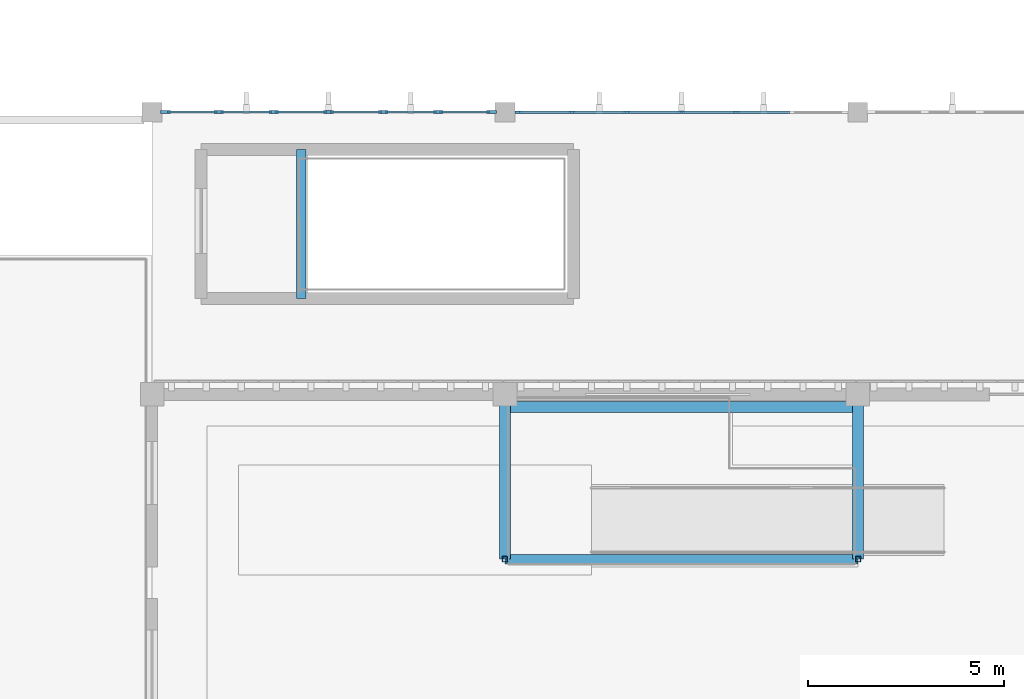
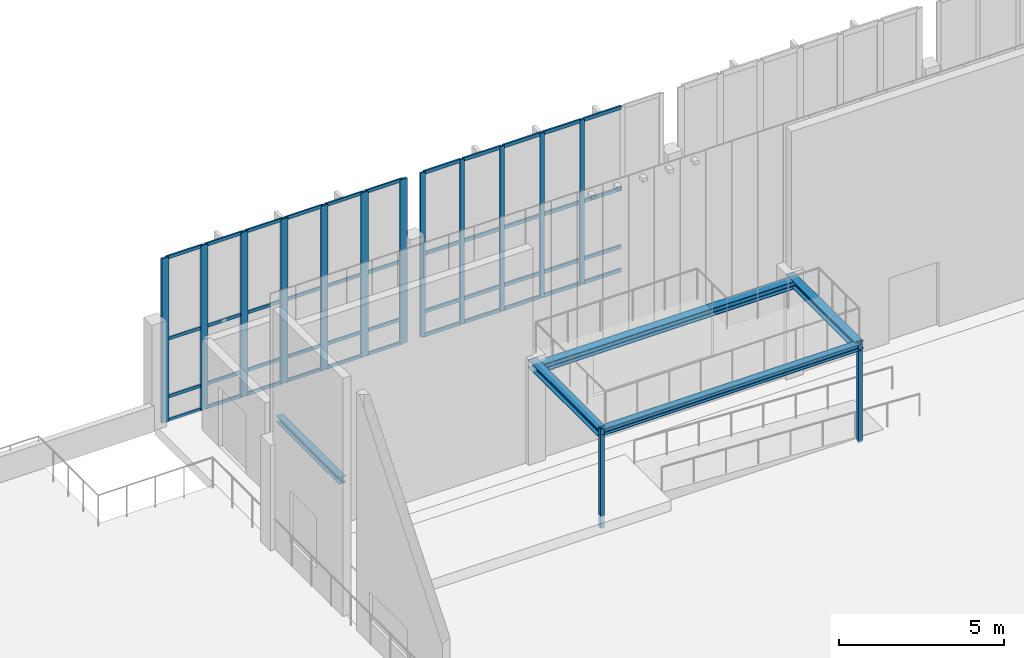
# One storey, part 23 of 67: 58 members, 5 beams, 2 elements without a shape of their own.
"""IFC4 building model written with IfcOpenShell, lengths in metres."""

import ifcopenshell
import ifcopenshell.guid

model = None  # the IFC model being written
_history = None  # IfcOwnerHistory: only IFC2X3 demands one
_inside = {}  # id of a spatial element -> (the spatial element, [elements in it])
_under = {}  # id of a project, library or spatial element -> (it, [spatial elements below it])
_declared = {}  # id of a project -> (the project, [libraries it declares])
_typed = {}  # id of a type object -> (the type object, [elements of that type])
_made_of = {}  # id of a material, layer set ... -> (it, [elements and type objects made of it])


def new_model(schema):
    """Start an empty IFC model of exactly this schema.

    Asked for "IFC4X3", IfcOpenShell would pick the latest addendum, in which some entities
    have other attributes; the version numbers below select the first issue.
    IFC2X3 requires an IfcOwnerHistory on every rooted entity: one is made here for all.
    """
    global model, _history
    if schema == "IFC4X3":
        model = ifcopenshell.file(schema_version=(4, 3, 0, 0))
    else:
        model = ifcopenshell.file(schema=schema)
    _inside.clear()
    _under.clear()
    _declared.clear()
    _typed.clear()
    _made_of.clear()
    _history = None
    if model.schema == "IFC2X3":
        org = make("IfcOrganization", Name="unknown")
        user = make(
            "IfcPersonAndOrganization",
            ThePerson=make("IfcPerson", FamilyName="unknown"),
            TheOrganization=org,
        )
        app = make(
            "IfcApplication",
            ApplicationDeveloper=org,
            Version="unknown",
            ApplicationFullName="unknown",
            ApplicationIdentifier="unknown",
        )
        _history = make(
            "IfcOwnerHistory",
            OwningUser=user,
            OwningApplication=app,
            ChangeAction="ADDED",
            CreationDate=0,
        )
    return model


def make(cls, **values):
    """One entity of the class cls with the attributes given. An attribute that is None is left unset."""
    return model.create_entity(
        cls, **{name: value for name, value in values.items() if value is not None}
    )


def rooted(cls, **values):
    """An entity with a GlobalId (a new one), such as an element, a storey or a relation."""
    return make(cls, GlobalId=ifcopenshell.guid.new(), OwnerHistory=_history, **values)


def si_unit(unit_type, name, prefix=None):
    """IfcSIUnit, for example si_unit("LENGTHUNIT", "METRE", prefix="MILLI")."""
    return make("IfcSIUnit", UnitType=unit_type, Prefix=prefix, Name=name)


def assignment(units):
    """IfcUnitAssignment: the units of a project."""
    return None if units is None else make("IfcUnitAssignment", Units=units)


def point(xyz):
    """IfcCartesianPoint."""
    return None if xyz is None else make("IfcCartesianPoint", Coordinates=xyz)


def direction(xyz):
    """IfcDirection."""
    return None if xyz is None else make("IfcDirection", DirectionRatios=xyz)


def frame(location, z_axis=None, x_axis=None):
    """IfcAxis2Placement3D, a coordinate frame: its origin and axes. An axis left out is left unset."""
    return make(
        "IfcAxis2Placement3D",
        Location=point(location),
        Axis=direction(z_axis),
        RefDirection=direction(x_axis),
    )


def frame_2d(location, x_axis=None):
    """IfcAxis2Placement2D, a coordinate frame in the plane: its origin and x axis."""
    return make(
        "IfcAxis2Placement2D", Location=point(location), RefDirection=direction(x_axis)
    )


def origin():
    """The frame at (0, 0, 0) with its axes left unset."""
    return frame((0.0, 0.0, 0.0))


def origin_2d():
    """The frame at (0, 0) in the plane with its x axis left unset."""
    return frame_2d((0.0, 0.0))


def place(relative_to, where):
    """IfcLocalPlacement: puts the frame where relative to a parent placement (None: the world)."""
    return make(
        "IfcLocalPlacement", PlacementRelTo=relative_to, RelativePlacement=where
    )


def context(
    kind, dimensions, precision=None, world=None, true_north=None, identifier=None
):
    """IfcGeometricRepresentationContext, for example the 3D "Model" context."""
    return make(
        "IfcGeometricRepresentationContext",
        ContextIdentifier=identifier,
        ContextType=kind,
        CoordinateSpaceDimension=dimensions,
        Precision=precision,
        WorldCoordinateSystem=world,
        TrueNorth=true_north,
    )


def subcontext(parent, identifier, kind, view, scale=None):
    """IfcGeometricRepresentationSubContext, for example "Body" below "Model"."""
    return make(
        "IfcGeometricRepresentationSubContext",
        ContextIdentifier=identifier,
        ContextType=kind,
        ParentContext=parent,
        TargetScale=scale,
        TargetView=view,
    )


def project(units=None, contexts=None):
    """IfcProject with its units and contexts."""
    return rooted(
        "IfcProject",
        Name="project",
        RepresentationContexts=contexts,
        UnitsInContext=assignment(units),
    )


def spatial(cls, under=None, at=None, **own):
    """A site, building, storey or space (cls), placed at a placement, below another one or the project."""
    s = rooted(cls, ObjectPlacement=at, **own)
    if under is not None:
        _under.setdefault(under.id(), (under, []))[1].append(s)
    return s


def profile(cls, at=None, kind="AREA", **sizes):
    """A parametric profile (cls). Its sizes go by their IFC names, for example OverallWidth=200.0."""
    return make(cls, ProfileType=kind, Position=at, **sizes)


def rectangle(**sizes):
    """IfcRectangleProfileDef."""
    return profile("IfcRectangleProfileDef", **sizes)


def hollow_rectangle(**sizes):
    """IfcRectangleHollowProfileDef."""
    return profile("IfcRectangleHollowProfileDef", **sizes)


def i_section(**sizes):
    """IfcIShapeProfileDef."""
    return profile("IfcIShapeProfileDef", **sizes)


def extrude(swept, where, along, depth):
    """IfcExtrudedAreaSolid: the profile swept, set in the frame where, extruded along a direction by depth."""
    return make(
        "IfcExtrudedAreaSolid",
        SweptArea=swept,
        Position=where,
        ExtrudedDirection=direction(along),
        Depth=depth,
    )


def shape(context_of_items, identifier, shape_type, items):
    """IfcShapeRepresentation: the items that make up one representation, for example the "Body"."""
    return make(
        "IfcShapeRepresentation",
        ContextOfItems=context_of_items,
        RepresentationIdentifier=identifier,
        RepresentationType=shape_type,
        Items=items,
    )


def material(Name=None, Category=None):
    """IfcMaterial."""
    return make("IfcMaterial", Name=Name, Category=Category)


def material_profile(
    of_material, cross_section, Name=None, Category=None, Priority=None
):
    """IfcMaterialProfile: a cross section and its material."""
    return make(
        "IfcMaterialProfile",
        Name=Name,
        Material=of_material,
        Profile=cross_section,
        Priority=Priority,
        Category=Category,
    )


def profile_set(profiles, Name=None, composite=None):
    """IfcMaterialProfileSet."""
    return make(
        "IfcMaterialProfileSet",
        Name=Name,
        MaterialProfiles=profiles,
        CompositeProfile=composite,
    )


def made_of(thing, what):
    """Note that an element or type object is made of a material, layer set ...; save() writes the relation."""
    if what is not None:
        _made_of.setdefault(what.id(), (what, []))[1].append(thing)
    return thing


def type_object(cls, material=None, **own):
    """A type object (cls), such as IfcWallType, which elements share."""
    return made_of(rooted(cls, **own), material)


def element(
    cls,
    number,
    at=None,
    inside=None,
    cuts=None,
    type_object=None,
    material=None,
    context=None,
    identifier="Body",
    shape_type=None,
    held_by="IfcProductDefinitionShape",
    body=None,
    shapes=None,
    **own,
):
    """One element of the class cls, such as IfcWall. Its Tag is "e" and its number.

    at: its placement. inside: the storey or other place that contains it. cuts: it is an
    opening in that element (IfcRelVoidsElement). A single representation is given by context,
    identifier, shape_type and body (its items); several are given by shapes. held_by: the class
    of the entity that holds the representations. save() writes the other relations.
    """
    e = rooted(cls, Tag="e%d" % number, ObjectPlacement=at, **own)
    if body is not None:
        shapes = [shape(context, identifier, shape_type, body)]
    if shapes is not None:
        e.Representation = make(held_by, Representations=shapes)
    if inside is not None:
        _inside.setdefault(inside.id(), (inside, []))[1].append(e)
    if cuts is not None:
        rooted(
            "IfcRelVoidsElement", RelatingBuildingElement=cuts, RelatedOpeningElement=e
        )
    if type_object is not None:
        _typed.setdefault(type_object.id(), (type_object, []))[1].append(e)
    return made_of(e, material)


def aggregate(whole, parts):
    """IfcRelAggregates: a whole, such as a stair, and the parts it consists of."""
    return rooted("IfcRelAggregates", RelatingObject=whole, RelatedObjects=parts)


def save(model, path):
    """Write the relations noted so far, then the file.

    IfcRelAggregates (storeys below a building ...), IfcRelContainedInSpatialStructure (elements
    in a storey), IfcRelDefinesByType, IfcRelAssociatesMaterial and IfcRelDeclares: one each for
    every whole, place, type object, material and project.
    """
    for whole, parts in _under.values():
        aggregate(whole, parts)
    for where, things in _inside.values():
        rooted(
            "IfcRelContainedInSpatialStructure",
            RelatedElements=things,
            RelatingStructure=where,
        )
    for kind, things in _typed.values():
        rooted("IfcRelDefinesByType", RelatedObjects=things, RelatingType=kind)
    for what, things in _made_of.values():
        rooted("IfcRelAssociatesMaterial", RelatedObjects=things, RelatingMaterial=what)
    for by, libraries in _declared.values():
        rooted("IfcRelDeclares", RelatingContext=by, RelatedDefinitions=libraries)
    model.write(path)


model = new_model("IFC4")

# Units and contexts
model_context = context("Model", 3, precision=1e-05, world=origin(), true_north=direction((0.0, 1.0)))
body_context = subcontext(model_context, "Body", "Model", "MODEL_VIEW")
ifc_project = project(units=[si_unit("LENGTHUNIT", "METRE"), si_unit("AREAUNIT", "SQUARE_METRE"), si_unit("VOLUMEUNIT", "CUBIC_METRE"), si_unit("PLANEANGLEUNIT", "RADIAN"), si_unit("MASSUNIT", "GRAM", prefix="KILO")], contexts=[model_context])

# Site, building, storey
site_placement = place(None, origin())
site = spatial("IfcSite", under=ifc_project, at=site_placement, CompositionType="ELEMENT")
building_placement = place(site_placement, origin())
building = spatial("IfcBuilding", under=site, at=building_placement, Name="Tizgana Railside Sports Hall", CompositionType="ELEMENT")
storey_placement = place(building_placement, frame((0.0, 0.0, 12.0)))
storey = spatial("IfcBuildingStorey", under=building, at=storey_placement, Name="L02", CompositionType="ELEMENT", Elevation=12.0)

# Curtain wall, members
ifc_material_1 = material(Name="Anodised aluminium and glass", Category="aluminium")
curtain_wall_type_1 = type_object("IfcCurtainWallType", Name="Unitised Curtain Wall Climbing 1600", PredefinedType="NOTDEFINED", material=ifc_material_1)
curtain_wall_1_placement = place(storey_placement, origin())
curtain_wall_1 = element("IfcCurtainWall", 1, at=curtain_wall_1_placement, inside=storey, type_object=curtain_wall_type_1, Name="L02 Curtain Wall CW-0019", PredefinedType="NOTDEFINED")
ifc_material_2 = material(Name="Anodised aluminium", Category="aluminium")
ifc_material_profile_1 = material_profile(ifc_material_2, rectangle(XDim=0.06005859375, YDim=0.159912109375, at=origin_2d()), Name="Mullion 60x160")
ifc_profile_set_1 = profile_set([ifc_material_profile_1], Name="Anodised aluminium")
member_type_1 = type_object("IfcMemberType", Name="Mullion 60x160", PredefinedType="MULLION", material=ifc_profile_set_1)
member_1_placement = place(storey_placement, frame((89.135009765625, 80.39990234375, 0.0), z_axis=(0.0, 0.0, 1.0), x_axis=(0.0, 1.0, 0.0)))
member_1 = element("IfcMember", 2, at=member_1_placement, type_object=member_type_1, Name="CW-04 mullion 1", PredefinedType="MULLION", context=body_context, shape_type="SweptSolid", body=[
    extrude(rectangle(XDim=0.06005859375, YDim=0.159912109375, at=origin_2d()), origin(), (0.0, 0.0, 1.0), 6.06005859375),
])
member_2_placement = place(storey_placement, frame((90.50341796875, 80.39990234375, 0.0), z_axis=(0.0, 0.0, 1.0), x_axis=(0.0, 1.0, 0.0)))
member_2 = element("IfcMember", 3, at=member_2_placement, type_object=member_type_1, Name="CW-04 mullion 2", PredefinedType="MULLION", context=body_context, shape_type="SweptSolid", body=[
    extrude(rectangle(XDim=0.06005859375, YDim=0.159912109375, at=origin_2d()), origin(), (0.0, 0.0, 1.0), 6.06005859375),
])
member_3_placement = place(storey_placement, frame((91.901611328125, 80.39990234375, 0.0), z_axis=(0.0, 0.0, 1.0), x_axis=(0.0, 1.0, 0.0)))
member_3 = element("IfcMember", 4, at=member_3_placement, type_object=member_type_1, Name="CW-04 mullion 3", PredefinedType="MULLION", context=body_context, shape_type="SweptSolid", body=[
    extrude(rectangle(XDim=0.06005859375, YDim=0.159912109375, at=origin_2d()), origin(), (0.0, 0.0, 1.0), 6.06005859375),
])
member_4_placement = place(storey_placement, frame((93.300048828125, 80.39990234375, 0.0), z_axis=(0.0, 0.0, 1.0), x_axis=(0.0, 1.0, 0.0)))
member_4 = element("IfcMember", 5, at=member_4_placement, type_object=member_type_1, Name="CW-04 mullion 4", PredefinedType="MULLION", context=body_context, shape_type="SweptSolid", body=[
    extrude(rectangle(XDim=0.06005859375, YDim=0.159912109375, at=origin_2d()), origin(), (0.0, 0.0, 1.0), 6.06005859375),
])
member_5_placement = place(storey_placement, frame((94.6982421875, 80.39990234375, 0.0), z_axis=(0.0, 0.0, 1.0), x_axis=(0.0, 1.0, 0.0)))
member_5 = element("IfcMember", 6, at=member_5_placement, type_object=member_type_1, Name="CW-04 mullion 5", PredefinedType="MULLION", context=body_context, shape_type="SweptSolid", body=[
    extrude(rectangle(XDim=0.06005859375, YDim=0.159912109375, at=origin_2d()), origin(), (0.0, 0.0, 1.0), 6.06005859375),
])

curtain_wall_type_2 = type_object("IfcCurtainWallType", Name="Unitised Curtain Wall Foyer 1300", PredefinedType="NOTDEFINED", material=ifc_material_1)
curtain_wall_2_placement = place(storey_placement, origin())
curtain_wall_2 = element("IfcCurtainWall", 7, at=curtain_wall_2_placement, inside=storey, type_object=curtain_wall_type_2, Name="L02 Curtain Wall CW-0017", PredefinedType="NOTDEFINED")
ifc_material_profile_2 = material_profile(ifc_material_2, rectangle(XDim=0.074951171875, YDim=0.25, at=origin_2d()), Name="Mullion 75x250")
ifc_profile_set_2 = profile_set([ifc_material_profile_2], Name="Anodised aluminium")
member_type_2 = type_object("IfcMemberType", Name="Mullion 75x250", PredefinedType="MULLION", material=ifc_profile_set_2)
member_6_placement = place(storey_placement, frame((80.142578125, 80.39990234375, 0.0), z_axis=(0.0, 0.0, 1.0), x_axis=(0.0, 1.0, 0.0)))
member_6 = element("IfcMember", 8, at=member_6_placement, type_object=member_type_2, Name="CW-02 mullion 1", PredefinedType="MULLION", context=body_context, shape_type="SweptSolid", body=[
    extrude(rectangle(XDim=0.074951171875, YDim=0.25, at=origin_2d()), origin(), (0.0, 0.0, 1.0), 6.06005859375),
])
member_7_placement = place(storey_placement, frame((81.50341796875, 80.39990234375, 0.0), z_axis=(0.0, 0.0, 1.0), x_axis=(0.0, 1.0, 0.0)))
member_7 = element("IfcMember", 9, at=member_7_placement, type_object=member_type_2, Name="CW-02 mullion 2", PredefinedType="MULLION", context=body_context, shape_type="SweptSolid", body=[
    extrude(rectangle(XDim=0.074951171875, YDim=0.25, at=origin_2d()), origin(), (0.0, 0.0, 1.0), 6.06005859375),
])
member_8_placement = place(storey_placement, frame((82.901611328125, 80.39990234375, 0.0), z_axis=(0.0, 0.0, 1.0), x_axis=(0.0, 1.0, 0.0)))
member_8 = element("IfcMember", 10, at=member_8_placement, type_object=member_type_2, Name="CW-02 mullion 3", PredefinedType="MULLION", context=body_context, shape_type="SweptSolid", body=[
    extrude(rectangle(XDim=0.074951171875, YDim=0.25, at=origin_2d()), origin(), (0.0, 0.0, 1.0), 6.06005859375),
])
member_9_placement = place(storey_placement, frame((84.300048828125, 80.39990234375, 0.0), z_axis=(0.0, 0.0, 1.0), x_axis=(0.0, 1.0, 0.0)))
member_9 = element("IfcMember", 11, at=member_9_placement, type_object=member_type_2, Name="CW-02 mullion 4", PredefinedType="MULLION", context=body_context, shape_type="SweptSolid", body=[
    extrude(rectangle(XDim=0.074951171875, YDim=0.25, at=origin_2d()), origin(), (0.0, 0.0, 1.0), 6.06005859375),
])
member_10_placement = place(storey_placement, frame((85.6982421875, 80.39990234375, 0.0), z_axis=(0.0, 0.0, 1.0), x_axis=(0.0, 1.0, 0.0)))
member_10 = element("IfcMember", 12, at=member_10_placement, type_object=member_type_2, Name="CW-02 mullion 5", PredefinedType="MULLION", context=body_context, shape_type="SweptSolid", body=[
    extrude(rectangle(XDim=0.074951171875, YDim=0.25, at=origin_2d()), origin(), (0.0, 0.0, 1.0), 6.06005859375),
])
member_11_placement = place(storey_placement, frame((87.0966796875, 80.39990234375, 0.0), z_axis=(0.0, 0.0, 1.0), x_axis=(0.0, 1.0, 0.0)))
member_11 = element("IfcMember", 13, at=member_11_placement, type_object=member_type_2, Name="CW-02 mullion 6", PredefinedType="MULLION", context=body_context, shape_type="SweptSolid", body=[
    extrude(rectangle(XDim=0.074951171875, YDim=0.25, at=origin_2d()), origin(), (0.0, 0.0, 1.0), 6.06005859375),
])
member_12_placement = place(storey_placement, frame((88.45751953125, 80.39990234375, 0.0), z_axis=(0.0, 0.0, 1.0), x_axis=(0.0, 1.0, 0.0)))
member_12 = element("IfcMember", 14, at=member_12_placement, type_object=member_type_2, Name="CW-02 mullion 7", PredefinedType="MULLION", context=body_context, shape_type="SweptSolid", body=[
    extrude(rectangle(XDim=0.074951171875, YDim=0.25, at=origin_2d()), origin(), (0.0, 0.0, 1.0), 6.06005859375),
])

# Beams
ifc_material_3 = material(Name="Steel S355J2", Category="steel")
ifc_material_profile_3 = material_profile(ifc_material_3, i_section(OverallWidth=0.239990234375, OverallDepth=0.239990234375, WebThickness=0.010009765625, FlangeThickness=0.01708984375, FilletRadius=0.02099609375, at=origin_2d()), Name="HEB 240")
ifc_profile_set_3 = profile_set([ifc_material_profile_3], Name="Steel S355J2")
beam_type_1 = type_object("IfcBeamType", Name="Steel Beam HEB 240", PredefinedType="BEAM", material=ifc_profile_set_3)
beam_1_placement = place(storey_placement, frame((88.800048828125, 69.0, 3.550048828125), z_axis=(1.0, 0.0, 0.0), x_axis=(0.0, 1.0, 0.0)))
element("IfcBeam", 15, at=beam_1_placement, inside=storey, type_object=beam_type_1, Name="L02 BEM-1286", PredefinedType="BEAM", context=body_context, shape_type="SweptSolid", body=[
    extrude(i_section(OverallWidth=0.239990234375, OverallDepth=0.239990234375, WebThickness=0.010009765625, FlangeThickness=0.01708984375, FilletRadius=0.02099609375, at=origin_2d()), origin(), (0.0, 0.0, 1.0), 9.0),
])
beam_2_placement = place(storey_placement, frame((83.60009765625, 75.64990234375, -0.486083984375), z_axis=(0.0, 1.0, 0.0), x_axis=(-1.0, 0.0, 0.0)))
element("IfcBeam", 16, at=beam_2_placement, inside=storey, type_object=beam_type_1, Name="L02 C8 Landing Header", PredefinedType="BEAM", context=body_context, shape_type="SweptSolid", body=[
    extrude(i_section(OverallWidth=0.239990234375, OverallDepth=0.239990234375, WebThickness=0.010009765625, FlangeThickness=0.01708984375, FilletRadius=0.02099609375, at=origin_2d()), origin(), (0.0, 0.0, 1.0), 3.800048828125),
])
ifc_material_profile_4 = material_profile(ifc_material_3, i_section(OverallWidth=0.280029296875, OverallDepth=0.280029296875, WebThickness=0.010498046875, FlangeThickness=0.01806640625, FilletRadius=0.02392578125, at=origin_2d()), Name="HEB 280")
ifc_profile_set_4 = profile_set([ifc_material_profile_4], Name="Steel S355J2")
beam_type_2 = type_object("IfcBeamType", Name="Steel Beam HEB 280", PredefinedType="BEAM", material=ifc_profile_set_4)
beam_3_placement = place(storey_placement, frame((88.800048828125, 72.8798828125, 3.530029296875), z_axis=(1.0, 0.0, 0.0), x_axis=(0.0, 1.0, 0.0)))
element("IfcBeam", 17, at=beam_3_placement, inside=storey, type_object=beam_type_2, Name="L02 BEM-1285", PredefinedType="BEAM", context=body_context, shape_type="SweptSolid", body=[
    extrude(i_section(OverallWidth=0.280029296875, OverallDepth=0.280029296875, WebThickness=0.010498046875, FlangeThickness=0.01806640625, FilletRadius=0.02392578125, at=origin_2d()), origin(), (0.0, 0.0, 1.0), 9.0),
])
for number, where, z_axis, x_axis, name in (
    (18, (88.800048828125, 73.199951171875, 3.530029296875), (0.0, -1.0, 0.0), (1.0, 0.0, 0.0), "L02 BEM-1287"),
    (19, (97.800048828125, 73.199951171875, 3.530029296875), (0.0, -1.0, 0.0), (1.0, 0.0, 0.0), "L02 BEM-1288"),
):
    element("IfcBeam", number, at=place(storey_placement, frame(where, z_axis=z_axis, x_axis=x_axis)), inside=storey, type_object=beam_type_2, Name=name, PredefinedType="BEAM", context=body_context, shape_type="SweptSolid", body=[
        extrude(i_section(OverallWidth=0.280029296875, OverallDepth=0.280029296875, WebThickness=0.010498046875, FlangeThickness=0.01806640625, FilletRadius=0.02392578125, at=origin_2d()), origin(), (0.0, 0.0, 1.0), 4.199951171875),
    ])

# Members
ifc_material_profile_5 = material_profile(ifc_material_3, hollow_rectangle(XDim=0.139892578125, YDim=0.139892578125, WallThickness=0.008056640625, at=origin_2d()), Name="SHS 140x140x8")
ifc_profile_set_5 = profile_set([ifc_material_profile_5], Name="Steel S355J2")
member_type_3 = type_object("IfcMemberType", Name="Steel Brace SHS 140x140x8", PredefinedType="BRACE", material=ifc_profile_set_5)
for number, where, z_axis, x_axis, name in (
    (20, (88.800048828125, 69.0, 0.0), (0.0, 0.0, 1.0), (1.0, 0.0, 0.0), "L02 Catwalk Hanger"),
    (21, (97.800048828125, 69.0, 0.0), (0.0, 0.0, 1.0), (1.0, 0.0, 0.0), "L02 Catwalk Hanger"),
):
    element("IfcMember", number, at=place(storey_placement, frame(where, z_axis=z_axis, x_axis=x_axis)), inside=storey, type_object=member_type_3, Name=name, PredefinedType="BRACE", context=body_context, shape_type="SweptSolid", body=[
        extrude(hollow_rectangle(XDim=0.139892578125, YDim=0.139892578125, WallThickness=0.008056640625, at=origin_2d()), origin(), (0.0, 0.0, 1.0), 3.669921875),
    ])

# Member
ifc_material_profile_6 = material_profile(ifc_material_2, rectangle(XDim=0.054931640625, YDim=0.1201171875, at=origin_2d()), Name="Transom 55x120")
ifc_profile_set_6 = profile_set([ifc_material_profile_6], Name="Anodised aluminium")
member_type_4 = type_object("IfcMemberType", Name="Transom 55x120", PredefinedType="USERDEFINED", material=ifc_profile_set_6)
member_13_placement = place(storey_placement, frame((80.179931640625, 80.39990234375, 0.027587890625), z_axis=(1.0, 0.0, 0.0), x_axis=(0.0, 1.0, 0.0)))
member_13 = element("IfcMember", 22, at=member_13_placement, type_object=member_type_4, Name="CW-02 transom 1.1", ObjectType="TRANSOM", PredefinedType="USERDEFINED", context=body_context, shape_type="SweptSolid", body=[
    extrude(rectangle(XDim=0.054931640625, YDim=0.1201171875, at=origin_2d()), origin(), (0.0, 0.0, 1.0), 1.285888671875),
])

member_14_placement = place(storey_placement, frame((80.179931640625, 80.39990234375, 0.89990234375), z_axis=(1.0, 0.0, 0.0), x_axis=(0.0, 1.0, 0.0)))
member_14 = element("IfcMember", 23, at=member_14_placement, type_object=member_type_4, Name="CW-02 transom 1.2", ObjectType="TRANSOM", PredefinedType="USERDEFINED", context=body_context, shape_type="SweptSolid", body=[
    extrude(rectangle(XDim=0.054931640625, YDim=0.1201171875, at=origin_2d()), origin(), (0.0, 0.0, 1.0), 1.285888671875),
])

member_15_placement = place(storey_placement, frame((80.179931640625, 80.39990234375, 3.030029296875), z_axis=(1.0, 0.0, 0.0), x_axis=(0.0, 1.0, 0.0)))
member_15 = element("IfcMember", 24, at=member_15_placement, type_object=member_type_4, Name="CW-02 transom 1.3", ObjectType="TRANSOM", PredefinedType="USERDEFINED", context=body_context, shape_type="SweptSolid", body=[
    extrude(rectangle(XDim=0.054931640625, YDim=0.1201171875, at=origin_2d()), origin(), (0.0, 0.0, 1.0), 1.285888671875),
])

member_16_placement = place(storey_placement, frame((80.179931640625, 80.39990234375, 6.032470703125), z_axis=(1.0, 0.0, 0.0), x_axis=(0.0, 1.0, 0.0)))
member_16 = element("IfcMember", 25, at=member_16_placement, type_object=member_type_4, Name="CW-02 transom 1.4", ObjectType="TRANSOM", PredefinedType="USERDEFINED", context=body_context, shape_type="SweptSolid", body=[
    extrude(rectangle(XDim=0.054931640625, YDim=0.1201171875, at=origin_2d()), origin(), (0.0, 0.0, 1.0), 1.285888671875),
])

member_17_placement = place(storey_placement, frame((81.540771484375, 80.39990234375, 0.027587890625), z_axis=(1.0, 0.0, 0.0), x_axis=(0.0, 1.0, 0.0)))
member_17 = element("IfcMember", 26, at=member_17_placement, type_object=member_type_4, Name="CW-02 transom 2.1", ObjectType="TRANSOM", PredefinedType="USERDEFINED", context=body_context, shape_type="SweptSolid", body=[
    extrude(rectangle(XDim=0.054931640625, YDim=0.1201171875, at=origin_2d()), origin(), (0.0, 0.0, 1.0), 1.323486328125),
])

member_18_placement = place(storey_placement, frame((81.540771484375, 80.39990234375, 0.89990234375), z_axis=(1.0, 0.0, 0.0), x_axis=(0.0, 1.0, 0.0)))
member_18 = element("IfcMember", 27, at=member_18_placement, type_object=member_type_4, Name="CW-02 transom 2.2", ObjectType="TRANSOM", PredefinedType="USERDEFINED", context=body_context, shape_type="SweptSolid", body=[
    extrude(rectangle(XDim=0.054931640625, YDim=0.1201171875, at=origin_2d()), origin(), (0.0, 0.0, 1.0), 1.323486328125),
])

member_19_placement = place(storey_placement, frame((81.540771484375, 80.39990234375, 3.030029296875), z_axis=(1.0, 0.0, 0.0), x_axis=(0.0, 1.0, 0.0)))
member_19 = element("IfcMember", 28, at=member_19_placement, type_object=member_type_4, Name="CW-02 transom 2.3", ObjectType="TRANSOM", PredefinedType="USERDEFINED", context=body_context, shape_type="SweptSolid", body=[
    extrude(rectangle(XDim=0.054931640625, YDim=0.1201171875, at=origin_2d()), origin(), (0.0, 0.0, 1.0), 1.323486328125),
])

member_20_placement = place(storey_placement, frame((81.540771484375, 80.39990234375, 6.032470703125), z_axis=(1.0, 0.0, 0.0), x_axis=(0.0, 1.0, 0.0)))
member_20 = element("IfcMember", 29, at=member_20_placement, type_object=member_type_4, Name="CW-02 transom 2.4", ObjectType="TRANSOM", PredefinedType="USERDEFINED", context=body_context, shape_type="SweptSolid", body=[
    extrude(rectangle(XDim=0.054931640625, YDim=0.1201171875, at=origin_2d()), origin(), (0.0, 0.0, 1.0), 1.323486328125),
])

member_21_placement = place(storey_placement, frame((82.939208984375, 80.39990234375, 0.027587890625), z_axis=(1.0, 0.0, 0.0), x_axis=(0.0, 1.0, 0.0)))
member_21 = element("IfcMember", 30, at=member_21_placement, type_object=member_type_4, Name="CW-02 transom 3.1", ObjectType="TRANSOM", PredefinedType="USERDEFINED", context=body_context, shape_type="SweptSolid", body=[
    extrude(rectangle(XDim=0.054931640625, YDim=0.1201171875, at=origin_2d()), origin(), (0.0, 0.0, 1.0), 1.3232421875),
])

member_22_placement = place(storey_placement, frame((82.939208984375, 80.39990234375, 0.89990234375), z_axis=(1.0, 0.0, 0.0), x_axis=(0.0, 1.0, 0.0)))
member_22 = element("IfcMember", 31, at=member_22_placement, type_object=member_type_4, Name="CW-02 transom 3.2", ObjectType="TRANSOM", PredefinedType="USERDEFINED", context=body_context, shape_type="SweptSolid", body=[
    extrude(rectangle(XDim=0.054931640625, YDim=0.1201171875, at=origin_2d()), origin(), (0.0, 0.0, 1.0), 1.3232421875),
])

member_23_placement = place(storey_placement, frame((82.939208984375, 80.39990234375, 3.030029296875), z_axis=(1.0, 0.0, 0.0), x_axis=(0.0, 1.0, 0.0)))
member_23 = element("IfcMember", 32, at=member_23_placement, type_object=member_type_4, Name="CW-02 transom 3.3", ObjectType="TRANSOM", PredefinedType="USERDEFINED", context=body_context, shape_type="SweptSolid", body=[
    extrude(rectangle(XDim=0.054931640625, YDim=0.1201171875, at=origin_2d()), origin(), (0.0, 0.0, 1.0), 1.3232421875),
])

member_24_placement = place(storey_placement, frame((82.939208984375, 80.39990234375, 6.032470703125), z_axis=(1.0, 0.0, 0.0), x_axis=(0.0, 1.0, 0.0)))
member_24 = element("IfcMember", 33, at=member_24_placement, type_object=member_type_4, Name="CW-02 transom 3.4", ObjectType="TRANSOM", PredefinedType="USERDEFINED", context=body_context, shape_type="SweptSolid", body=[
    extrude(rectangle(XDim=0.054931640625, YDim=0.1201171875, at=origin_2d()), origin(), (0.0, 0.0, 1.0), 1.3232421875),
])

member_25_placement = place(storey_placement, frame((84.33740234375, 80.39990234375, 0.027587890625), z_axis=(1.0, 0.0, 0.0), x_axis=(0.0, 1.0, 0.0)))
member_25 = element("IfcMember", 34, at=member_25_placement, type_object=member_type_4, Name="CW-02 transom 4.1", ObjectType="TRANSOM", PredefinedType="USERDEFINED", context=body_context, shape_type="SweptSolid", body=[
    extrude(rectangle(XDim=0.054931640625, YDim=0.1201171875, at=origin_2d()), origin(), (0.0, 0.0, 1.0), 1.323486328125),
])

member_26_placement = place(storey_placement, frame((84.33740234375, 80.39990234375, 0.89990234375), z_axis=(1.0, 0.0, 0.0), x_axis=(0.0, 1.0, 0.0)))
member_26 = element("IfcMember", 35, at=member_26_placement, type_object=member_type_4, Name="CW-02 transom 4.2", ObjectType="TRANSOM", PredefinedType="USERDEFINED", context=body_context, shape_type="SweptSolid", body=[
    extrude(rectangle(XDim=0.054931640625, YDim=0.1201171875, at=origin_2d()), origin(), (0.0, 0.0, 1.0), 1.323486328125),
])

member_27_placement = place(storey_placement, frame((84.33740234375, 80.39990234375, 3.030029296875), z_axis=(1.0, 0.0, 0.0), x_axis=(0.0, 1.0, 0.0)))
member_27 = element("IfcMember", 36, at=member_27_placement, type_object=member_type_4, Name="CW-02 transom 4.3", ObjectType="TRANSOM", PredefinedType="USERDEFINED", context=body_context, shape_type="SweptSolid", body=[
    extrude(rectangle(XDim=0.054931640625, YDim=0.1201171875, at=origin_2d()), origin(), (0.0, 0.0, 1.0), 1.323486328125),
])

member_28_placement = place(storey_placement, frame((84.33740234375, 80.39990234375, 6.032470703125), z_axis=(1.0, 0.0, 0.0), x_axis=(0.0, 1.0, 0.0)))
member_28 = element("IfcMember", 37, at=member_28_placement, type_object=member_type_4, Name="CW-02 transom 4.4", ObjectType="TRANSOM", PredefinedType="USERDEFINED", context=body_context, shape_type="SweptSolid", body=[
    extrude(rectangle(XDim=0.054931640625, YDim=0.1201171875, at=origin_2d()), origin(), (0.0, 0.0, 1.0), 1.323486328125),
])

member_29_placement = place(storey_placement, frame((85.73583984375, 80.39990234375, 0.027587890625), z_axis=(1.0, 0.0, 0.0), x_axis=(0.0, 1.0, 0.0)))
member_29 = element("IfcMember", 38, at=member_29_placement, type_object=member_type_4, Name="CW-02 transom 5.1", ObjectType="TRANSOM", PredefinedType="USERDEFINED", context=body_context, shape_type="SweptSolid", body=[
    extrude(rectangle(XDim=0.054931640625, YDim=0.1201171875, at=origin_2d()), origin(), (0.0, 0.0, 1.0), 1.3232421875),
])

member_30_placement = place(storey_placement, frame((85.73583984375, 80.39990234375, 0.89990234375), z_axis=(1.0, 0.0, 0.0), x_axis=(0.0, 1.0, 0.0)))
member_30 = element("IfcMember", 39, at=member_30_placement, type_object=member_type_4, Name="CW-02 transom 5.2", ObjectType="TRANSOM", PredefinedType="USERDEFINED", context=body_context, shape_type="SweptSolid", body=[
    extrude(rectangle(XDim=0.054931640625, YDim=0.1201171875, at=origin_2d()), origin(), (0.0, 0.0, 1.0), 1.3232421875),
])

member_31_placement = place(storey_placement, frame((85.73583984375, 80.39990234375, 3.030029296875), z_axis=(1.0, 0.0, 0.0), x_axis=(0.0, 1.0, 0.0)))
member_31 = element("IfcMember", 40, at=member_31_placement, type_object=member_type_4, Name="CW-02 transom 5.3", ObjectType="TRANSOM", PredefinedType="USERDEFINED", context=body_context, shape_type="SweptSolid", body=[
    extrude(rectangle(XDim=0.054931640625, YDim=0.1201171875, at=origin_2d()), origin(), (0.0, 0.0, 1.0), 1.3232421875),
])

member_32_placement = place(storey_placement, frame((85.73583984375, 80.39990234375, 6.032470703125), z_axis=(1.0, 0.0, 0.0), x_axis=(0.0, 1.0, 0.0)))
member_32 = element("IfcMember", 41, at=member_32_placement, type_object=member_type_4, Name="CW-02 transom 5.4", ObjectType="TRANSOM", PredefinedType="USERDEFINED", context=body_context, shape_type="SweptSolid", body=[
    extrude(rectangle(XDim=0.054931640625, YDim=0.1201171875, at=origin_2d()), origin(), (0.0, 0.0, 1.0), 1.3232421875),
])

member_33_placement = place(storey_placement, frame((87.13427734375, 80.39990234375, 0.027587890625), z_axis=(1.0, 0.0, 0.0), x_axis=(0.0, 1.0, 0.0)))
member_33 = element("IfcMember", 42, at=member_33_placement, type_object=member_type_4, Name="CW-02 transom 6.1", ObjectType="TRANSOM", PredefinedType="USERDEFINED", context=body_context, shape_type="SweptSolid", body=[
    extrude(rectangle(XDim=0.054931640625, YDim=0.1201171875, at=origin_2d()), origin(), (0.0, 0.0, 1.0), 1.28564453125),
])

member_34_placement = place(storey_placement, frame((87.13427734375, 80.39990234375, 0.89990234375), z_axis=(1.0, 0.0, 0.0), x_axis=(0.0, 1.0, 0.0)))
member_34 = element("IfcMember", 43, at=member_34_placement, type_object=member_type_4, Name="CW-02 transom 6.2", ObjectType="TRANSOM", PredefinedType="USERDEFINED", context=body_context, shape_type="SweptSolid", body=[
    extrude(rectangle(XDim=0.054931640625, YDim=0.1201171875, at=origin_2d()), origin(), (0.0, 0.0, 1.0), 1.28564453125),
])

member_35_placement = place(storey_placement, frame((87.13427734375, 80.39990234375, 3.030029296875), z_axis=(1.0, 0.0, 0.0), x_axis=(0.0, 1.0, 0.0)))
member_35 = element("IfcMember", 44, at=member_35_placement, type_object=member_type_4, Name="CW-02 transom 6.3", ObjectType="TRANSOM", PredefinedType="USERDEFINED", context=body_context, shape_type="SweptSolid", body=[
    extrude(rectangle(XDim=0.054931640625, YDim=0.1201171875, at=origin_2d()), origin(), (0.0, 0.0, 1.0), 1.28564453125),
])

member_36_placement = place(storey_placement, frame((87.13427734375, 80.39990234375, 6.032470703125), z_axis=(1.0, 0.0, 0.0), x_axis=(0.0, 1.0, 0.0)))
member_36 = element("IfcMember", 45, at=member_36_placement, type_object=member_type_4, Name="CW-02 transom 6.4", ObjectType="TRANSOM", PredefinedType="USERDEFINED", context=body_context, shape_type="SweptSolid", body=[
    extrude(rectangle(XDim=0.054931640625, YDim=0.1201171875, at=origin_2d()), origin(), (0.0, 0.0, 1.0), 1.28564453125),
])

aggregate(curtain_wall_2, [member_6, member_7, member_8, member_9, member_10, member_11, member_12, member_13, member_14, member_15, member_16, member_17, member_18, member_19, member_20, member_21, member_22, member_23, member_24, member_25, member_26, member_27, member_28, member_29, member_30, member_31, member_32, member_33, member_34, member_35, member_36])

ifc_material_profile_7 = material_profile(ifc_material_2, rectangle(XDim=0.06005859375, YDim=0.1298828125, at=origin_2d()), Name="Transom 60x130")
ifc_profile_set_7 = profile_set([ifc_material_profile_7], Name="Anodised aluminium")
member_type_5 = type_object("IfcMemberType", Name="Transom 60x130", PredefinedType="USERDEFINED", material=ifc_profile_set_7)
member_37_placement = place(storey_placement, frame((89.1650390625, 80.39990234375, 0.030029296875), z_axis=(1.0, 0.0, 0.0), x_axis=(0.0, 1.0, 0.0)))
member_37 = element("IfcMember", 46, at=member_37_placement, type_object=member_type_5, Name="CW-04 transom 1.1", ObjectType="TRANSOM", PredefinedType="USERDEFINED", context=body_context, shape_type="SweptSolid", body=[
    extrude(rectangle(XDim=0.06005859375, YDim=0.1298828125, at=origin_2d()), origin(), (0.0, 0.0, 1.0), 1.308349609375),
])

member_38_placement = place(storey_placement, frame((89.1650390625, 80.39990234375, 0.89990234375), z_axis=(1.0, 0.0, 0.0), x_axis=(0.0, 1.0, 0.0)))
member_38 = element("IfcMember", 47, at=member_38_placement, type_object=member_type_5, Name="CW-04 transom 1.2", ObjectType="TRANSOM", PredefinedType="USERDEFINED", context=body_context, shape_type="SweptSolid", body=[
    extrude(rectangle(XDim=0.06005859375, YDim=0.1298828125, at=origin_2d()), origin(), (0.0, 0.0, 1.0), 1.308349609375),
])

member_39_placement = place(storey_placement, frame((89.1650390625, 80.39990234375, 3.030029296875), z_axis=(1.0, 0.0, 0.0), x_axis=(0.0, 1.0, 0.0)))
member_39 = element("IfcMember", 48, at=member_39_placement, type_object=member_type_5, Name="CW-04 transom 1.3", ObjectType="TRANSOM", PredefinedType="USERDEFINED", context=body_context, shape_type="SweptSolid", body=[
    extrude(rectangle(XDim=0.06005859375, YDim=0.1298828125, at=origin_2d()), origin(), (0.0, 0.0, 1.0), 1.308349609375),
])

member_40_placement = place(storey_placement, frame((89.1650390625, 80.39990234375, 6.030029296875), z_axis=(1.0, 0.0, 0.0), x_axis=(0.0, 1.0, 0.0)))
member_40 = element("IfcMember", 49, at=member_40_placement, type_object=member_type_5, Name="CW-04 transom 1.4", ObjectType="TRANSOM", PredefinedType="USERDEFINED", context=body_context, shape_type="SweptSolid", body=[
    extrude(rectangle(XDim=0.06005859375, YDim=0.1298828125, at=origin_2d()), origin(), (0.0, 0.0, 1.0), 1.308349609375),
])

member_41_placement = place(storey_placement, frame((90.533447265625, 80.39990234375, 0.030029296875), z_axis=(1.0, 0.0, 0.0), x_axis=(0.0, 1.0, 0.0)))
member_41 = element("IfcMember", 50, at=member_41_placement, type_object=member_type_5, Name="CW-04 transom 2.1", ObjectType="TRANSOM", PredefinedType="USERDEFINED", context=body_context, shape_type="SweptSolid", body=[
    extrude(rectangle(XDim=0.06005859375, YDim=0.1298828125, at=origin_2d()), origin(), (0.0, 0.0, 1.0), 1.338134765625),
])

member_42_placement = place(storey_placement, frame((90.533447265625, 80.39990234375, 0.89990234375), z_axis=(1.0, 0.0, 0.0), x_axis=(0.0, 1.0, 0.0)))
member_42 = element("IfcMember", 51, at=member_42_placement, type_object=member_type_5, Name="CW-04 transom 2.2", ObjectType="TRANSOM", PredefinedType="USERDEFINED", context=body_context, shape_type="SweptSolid", body=[
    extrude(rectangle(XDim=0.06005859375, YDim=0.1298828125, at=origin_2d()), origin(), (0.0, 0.0, 1.0), 1.338134765625),
])

member_43_placement = place(storey_placement, frame((90.533447265625, 80.39990234375, 3.030029296875), z_axis=(1.0, 0.0, 0.0), x_axis=(0.0, 1.0, 0.0)))
member_43 = element("IfcMember", 52, at=member_43_placement, type_object=member_type_5, Name="CW-04 transom 2.3", ObjectType="TRANSOM", PredefinedType="USERDEFINED", context=body_context, shape_type="SweptSolid", body=[
    extrude(rectangle(XDim=0.06005859375, YDim=0.1298828125, at=origin_2d()), origin(), (0.0, 0.0, 1.0), 1.338134765625),
])

member_44_placement = place(storey_placement, frame((90.533447265625, 80.39990234375, 6.030029296875), z_axis=(1.0, 0.0, 0.0), x_axis=(0.0, 1.0, 0.0)))
member_44 = element("IfcMember", 53, at=member_44_placement, type_object=member_type_5, Name="CW-04 transom 2.4", ObjectType="TRANSOM", PredefinedType="USERDEFINED", context=body_context, shape_type="SweptSolid", body=[
    extrude(rectangle(XDim=0.06005859375, YDim=0.1298828125, at=origin_2d()), origin(), (0.0, 0.0, 1.0), 1.338134765625),
])

member_45_placement = place(storey_placement, frame((91.931640625, 80.39990234375, 0.030029296875), z_axis=(1.0, 0.0, 0.0), x_axis=(0.0, 1.0, 0.0)))
member_45 = element("IfcMember", 54, at=member_45_placement, type_object=member_type_5, Name="CW-04 transom 3.1", ObjectType="TRANSOM", PredefinedType="USERDEFINED", context=body_context, shape_type="SweptSolid", body=[
    extrude(rectangle(XDim=0.06005859375, YDim=0.1298828125, at=origin_2d()), origin(), (0.0, 0.0, 1.0), 1.33837890625),
])

member_46_placement = place(storey_placement, frame((91.931640625, 80.39990234375, 0.89990234375), z_axis=(1.0, 0.0, 0.0), x_axis=(0.0, 1.0, 0.0)))
member_46 = element("IfcMember", 55, at=member_46_placement, type_object=member_type_5, Name="CW-04 transom 3.2", ObjectType="TRANSOM", PredefinedType="USERDEFINED", context=body_context, shape_type="SweptSolid", body=[
    extrude(rectangle(XDim=0.06005859375, YDim=0.1298828125, at=origin_2d()), origin(), (0.0, 0.0, 1.0), 1.33837890625),
])

member_47_placement = place(storey_placement, frame((91.931640625, 80.39990234375, 3.030029296875), z_axis=(1.0, 0.0, 0.0), x_axis=(0.0, 1.0, 0.0)))
member_47 = element("IfcMember", 56, at=member_47_placement, type_object=member_type_5, Name="CW-04 transom 3.3", ObjectType="TRANSOM", PredefinedType="USERDEFINED", context=body_context, shape_type="SweptSolid", body=[
    extrude(rectangle(XDim=0.06005859375, YDim=0.1298828125, at=origin_2d()), origin(), (0.0, 0.0, 1.0), 1.33837890625),
])

member_48_placement = place(storey_placement, frame((91.931640625, 80.39990234375, 6.030029296875), z_axis=(1.0, 0.0, 0.0), x_axis=(0.0, 1.0, 0.0)))
member_48 = element("IfcMember", 57, at=member_48_placement, type_object=member_type_5, Name="CW-04 transom 3.4", ObjectType="TRANSOM", PredefinedType="USERDEFINED", context=body_context, shape_type="SweptSolid", body=[
    extrude(rectangle(XDim=0.06005859375, YDim=0.1298828125, at=origin_2d()), origin(), (0.0, 0.0, 1.0), 1.33837890625),
])

member_49_placement = place(storey_placement, frame((93.330078125, 80.39990234375, 0.030029296875), z_axis=(1.0, 0.0, 0.0), x_axis=(0.0, 1.0, 0.0)))
member_49 = element("IfcMember", 58, at=member_49_placement, type_object=member_type_5, Name="CW-04 transom 4.1", ObjectType="TRANSOM", PredefinedType="USERDEFINED", context=body_context, shape_type="SweptSolid", body=[
    extrude(rectangle(XDim=0.06005859375, YDim=0.1298828125, at=origin_2d()), origin(), (0.0, 0.0, 1.0), 1.338134765625),
])

member_50_placement = place(storey_placement, frame((93.330078125, 80.39990234375, 0.89990234375), z_axis=(1.0, 0.0, 0.0), x_axis=(0.0, 1.0, 0.0)))
member_50 = element("IfcMember", 59, at=member_50_placement, type_object=member_type_5, Name="CW-04 transom 4.2", ObjectType="TRANSOM", PredefinedType="USERDEFINED", context=body_context, shape_type="SweptSolid", body=[
    extrude(rectangle(XDim=0.06005859375, YDim=0.1298828125, at=origin_2d()), origin(), (0.0, 0.0, 1.0), 1.338134765625),
])

member_51_placement = place(storey_placement, frame((93.330078125, 80.39990234375, 3.030029296875), z_axis=(1.0, 0.0, 0.0), x_axis=(0.0, 1.0, 0.0)))
member_51 = element("IfcMember", 60, at=member_51_placement, type_object=member_type_5, Name="CW-04 transom 4.3", ObjectType="TRANSOM", PredefinedType="USERDEFINED", context=body_context, shape_type="SweptSolid", body=[
    extrude(rectangle(XDim=0.06005859375, YDim=0.1298828125, at=origin_2d()), origin(), (0.0, 0.0, 1.0), 1.338134765625),
])

member_52_placement = place(storey_placement, frame((93.330078125, 80.39990234375, 6.030029296875), z_axis=(1.0, 0.0, 0.0), x_axis=(0.0, 1.0, 0.0)))
member_52 = element("IfcMember", 61, at=member_52_placement, type_object=member_type_5, Name="CW-04 transom 4.4", ObjectType="TRANSOM", PredefinedType="USERDEFINED", context=body_context, shape_type="SweptSolid", body=[
    extrude(rectangle(XDim=0.06005859375, YDim=0.1298828125, at=origin_2d()), origin(), (0.0, 0.0, 1.0), 1.338134765625),
])

member_53_placement = place(storey_placement, frame((94.728271484375, 80.39990234375, 0.030029296875), z_axis=(1.0, 0.0, 0.0), x_axis=(0.0, 1.0, 0.0)))
member_53 = element("IfcMember", 62, at=member_53_placement, type_object=member_type_5, Name="CW-04 transom 5.1", ObjectType="TRANSOM", PredefinedType="USERDEFINED", context=body_context, shape_type="SweptSolid", body=[
    extrude(rectangle(XDim=0.06005859375, YDim=0.1298828125, at=origin_2d()), origin(), (0.0, 0.0, 1.0), 1.33837890625),
])

member_54_placement = place(storey_placement, frame((94.728271484375, 80.39990234375, 0.89990234375), z_axis=(1.0, 0.0, 0.0), x_axis=(0.0, 1.0, 0.0)))
member_54 = element("IfcMember", 63, at=member_54_placement, type_object=member_type_5, Name="CW-04 transom 5.2", ObjectType="TRANSOM", PredefinedType="USERDEFINED", context=body_context, shape_type="SweptSolid", body=[
    extrude(rectangle(XDim=0.06005859375, YDim=0.1298828125, at=origin_2d()), origin(), (0.0, 0.0, 1.0), 1.33837890625),
])

member_55_placement = place(storey_placement, frame((94.728271484375, 80.39990234375, 3.030029296875), z_axis=(1.0, 0.0, 0.0), x_axis=(0.0, 1.0, 0.0)))
member_55 = element("IfcMember", 64, at=member_55_placement, type_object=member_type_5, Name="CW-04 transom 5.3", ObjectType="TRANSOM", PredefinedType="USERDEFINED", context=body_context, shape_type="SweptSolid", body=[
    extrude(rectangle(XDim=0.06005859375, YDim=0.1298828125, at=origin_2d()), origin(), (0.0, 0.0, 1.0), 1.33837890625),
])

member_56_placement = place(storey_placement, frame((94.728271484375, 80.39990234375, 6.030029296875), z_axis=(1.0, 0.0, 0.0), x_axis=(0.0, 1.0, 0.0)))
member_56 = element("IfcMember", 65, at=member_56_placement, type_object=member_type_5, Name="CW-04 transom 5.4", ObjectType="TRANSOM", PredefinedType="USERDEFINED", context=body_context, shape_type="SweptSolid", body=[
    extrude(rectangle(XDim=0.06005859375, YDim=0.1298828125, at=origin_2d()), origin(), (0.0, 0.0, 1.0), 1.33837890625),
])

aggregate(curtain_wall_1, [member_1, member_2, member_3, member_4, member_5, member_37, member_38, member_39, member_40, member_41, member_42, member_43, member_44, member_45, member_46, member_47, member_48, member_49, member_50, member_51, member_52, member_53, member_54, member_55, member_56])

save(model, "model.ifc")
